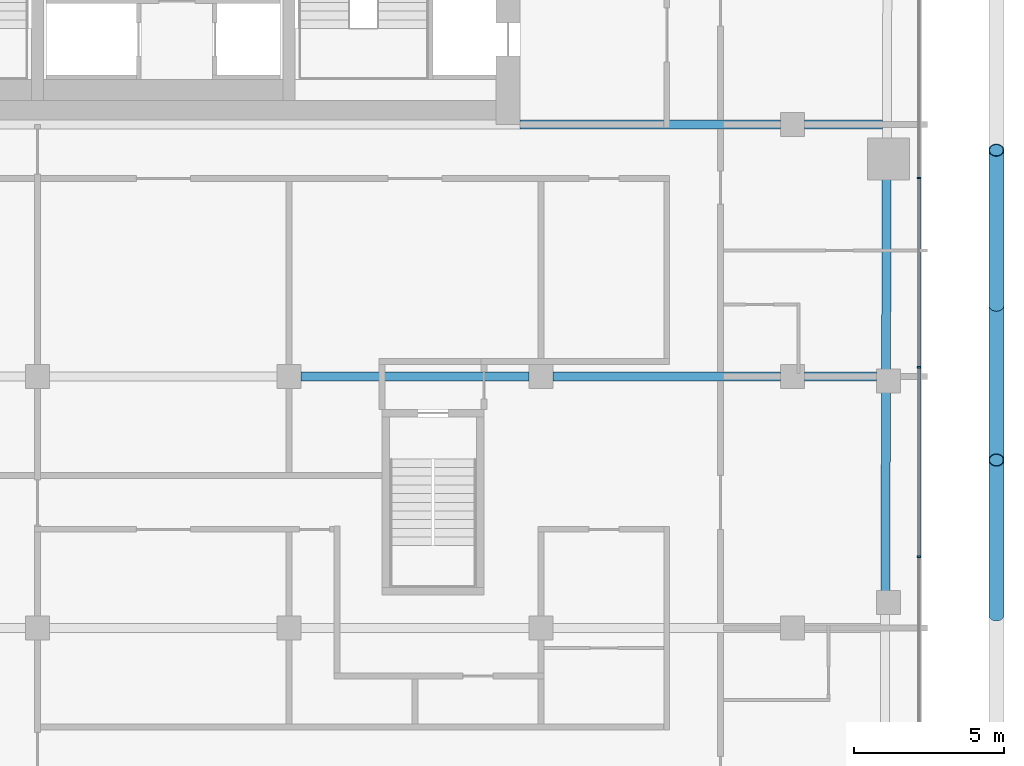
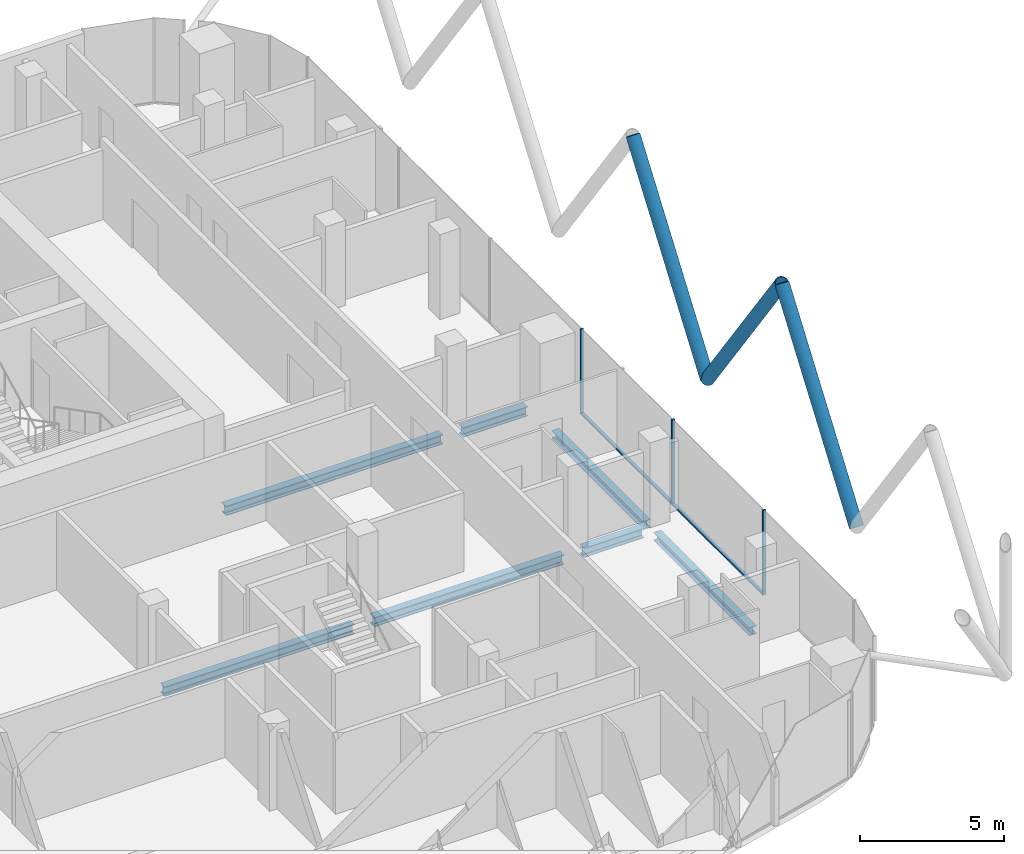
# One storey, part 7 of 28: 8 members, 7 beams, 1 element without a shape of its own.
"""IFC4 building model written with IfcOpenShell, lengths in metres."""

from ifc_helpers import new_model, si_unit, direction, frame, origin, origin_2d, place, context, subcontext, project, spatial, rectangle, hollow_circle, i_section, extrude, material, layer, layer_set, material_profile, profile_set, type_object, element, aggregate, save


model = new_model("IFC4")

# Units and contexts
model_context = context("Model", 3, precision=1e-05, world=origin(), true_north=direction((0.0, 1.0)))
body_context = subcontext(model_context, "Body", "Model", "MODEL_VIEW")
ifc_project = project(units=[si_unit("LENGTHUNIT", "METRE"), si_unit("AREAUNIT", "SQUARE_METRE"), si_unit("VOLUMEUNIT", "CUBIC_METRE"), si_unit("PLANEANGLEUNIT", "RADIAN"), si_unit("MASSUNIT", "GRAM", prefix="KILO")], contexts=[model_context])

# Site, building, storey
site_placement = place(None, origin())
site = spatial("IfcSite", under=ifc_project, at=site_placement, CompositionType="ELEMENT")
building_placement = place(site_placement, origin())
building = spatial("IfcBuilding", under=site, at=building_placement, Name="Marenta Gate Hotel Tower", CompositionType="ELEMENT")
storey_placement = place(building_placement, frame((0.0, 0.0, 198.5)))
storey = spatial("IfcBuildingStorey", under=building, at=storey_placement, Name="L45", CompositionType="ELEMENT", Elevation=198.5)

# Members
ifc_material_1 = material(Name="Steel S355J2W", Category="steel")
ifc_material_profile_1 = material_profile(ifc_material_1, hollow_circle(Radius=0.25390625, WallThickness=0.02490234375, at=origin_2d()), Name="CHS 508x25")
ifc_profile_set_1 = profile_set([ifc_material_profile_1], Name="Steel S355J2W")
member_type_1 = type_object("IfcMemberType", Name="Diagrid diagonal Z3 CHS 508x25", PredefinedType="BRACE", material=ifc_profile_set_1)
member_1_placement = place(storey_placement, frame((27.800048828125, -6.02001953125, 3.139892578125), z_axis=(0.0, 0.583247791947, 0.812294289767), x_axis=(-1.0, 0.0, 0.0)))
element("IfcMember", 1, at=member_1_placement, inside=storey, type_object=member_type_1, Name="L45-DG-6", PredefinedType="BRACE", context=body_context, shape_type="SweptSolid", body=[
    extrude(hollow_circle(Radius=0.25390625, WallThickness=0.02490234375, at=origin_2d()), origin(), (0.0, 0.0, 1.0), 8.864013671875),
])
member_2_placement = place(storey_placement, frame((27.800048828125, -6.02001953125, 3.139892578125), z_axis=(0.0, -0.583265964901, 0.81228124082), x_axis=(1.0, 0.0, 0.0)))
element("IfcMember", 2, at=member_2_placement, inside=storey, type_object=member_type_1, Name="L45-DG-7", PredefinedType="BRACE", context=body_context, shape_type="SweptSolid", body=[
    extrude(hollow_circle(Radius=0.25390625, WallThickness=0.02490234375, at=origin_2d()), origin(), (0.0, 0.0, 1.0), 8.8642578125),
])
member_3_placement = place(storey_placement, frame((27.800048828125, -16.360107421875, 3.139892578125), z_axis=(0.0, 0.583247791947, 0.812294289767), x_axis=(-1.0, 0.0, 0.0)))
element("IfcMember", 3, at=member_3_placement, inside=storey, type_object=member_type_1, Name="L45-DG-8", PredefinedType="BRACE", context=body_context, shape_type="SweptSolid", body=[
    extrude(hollow_circle(Radius=0.25390625, WallThickness=0.02490234375, at=origin_2d()), origin(), (0.0, 0.0, 1.0), 8.864013671875),
])

# Beams
ifc_material_2 = material(Name="Steel S355", Category="steel")
ifc_material_profile_2 = material_profile(ifc_material_2, i_section(OverallWidth=0.300048828125, OverallDepth=0.340087890625, WebThickness=0.011962890625, FlangeThickness=0.021484375, FilletRadius=0.027099609375, at=origin_2d()), Name="HEB 340")
ifc_profile_set_2 = profile_set([ifc_material_profile_2], Name="Steel S355")
beam_type_1 = type_object("IfcBeamType", Name="Edge beam HEB 340", PredefinedType="SPANDREL", material=ifc_profile_set_2)
beam_1_placement = place(storey_placement, frame((24.1396484375, -1.81005859375, -0.429931640625), z_axis=(-0.003328723523, -0.999994459785, 0.0), x_axis=(0.999994459785, -0.003328723523, 0.0)))
element("IfcBeam", 4, at=beam_1_placement, inside=storey, type_object=beam_type_1, Name="L45-EB-25", PredefinedType="SPANDREL", context=body_context, shape_type="SweptSolid", body=[
    extrude(i_section(OverallWidth=0.300048828125, OverallDepth=0.340087890625, WebThickness=0.011962890625, FlangeThickness=0.021484375, FilletRadius=0.027099609375, at=origin_2d()), origin(), (0.0, 0.0, 1.0), 6.380859375),
])
beam_2_placement = place(storey_placement, frame((24.115966796875, -8.910888671875, -0.429931640625), z_axis=(-0.00332539729, -0.999994470851, 0.0), x_axis=(0.999994470851, -0.00332539729, 0.0)))
element("IfcBeam", 5, at=beam_2_placement, inside=storey, type_object=beam_type_1, Name="L45-EB-26", PredefinedType="SPANDREL", context=body_context, shape_type="SweptSolid", body=[
    extrude(i_section(OverallWidth=0.300048828125, OverallDepth=0.340087890625, WebThickness=0.011962890625, FlangeThickness=0.021484375, FilletRadius=0.027099609375, at=origin_2d()), origin(), (0.0, 0.0, 1.0), 6.680908203125),
])
ifc_material_3 = material(Name="Steel S355", Category="steel")
ifc_material_profile_3 = material_profile(ifc_material_3, i_section(OverallWidth=0.300048828125, OverallDepth=0.39990234375, WebThickness=0.013427734375, FlangeThickness=0.02392578125, FilletRadius=0.027099609375, at=origin_2d()), Name="HEB 400")
ifc_profile_set_3 = profile_set([ifc_material_profile_3], Name="Steel S355")
beam_type_2 = type_object("IfcBeamType", Name="Girder HEB 400", PredefinedType="BEAM", material=ifc_profile_set_3)
beam_3_placement = place(storey_placement, frame((4.60009765625, -8.39990234375, -0.4599609375), z_axis=(1.0, 0.0, 0.0), x_axis=(0.0, 1.0, 0.0)))
element("IfcBeam", 6, at=beam_3_placement, inside=storey, type_object=beam_type_2, Name="L45-GD-17", PredefinedType="BEAM", context=body_context, shape_type="SweptSolid", body=[
    extrude(i_section(OverallWidth=0.300048828125, OverallDepth=0.39990234375, WebThickness=0.013427734375, FlangeThickness=0.02392578125, FilletRadius=0.027099609375, at=origin_2d()), origin(), (0.0, 0.0, 1.0), 7.599853515625),
])
beam_4_placement = place(storey_placement, frame((13.0, -8.39990234375, -0.4599609375), z_axis=(1.0, 0.0, 0.0), x_axis=(0.0, 1.0, 0.0)))
element("IfcBeam", 7, at=beam_4_placement, inside=storey, type_object=beam_type_2, Name="L45-GD-18", PredefinedType="BEAM", context=body_context, shape_type="SweptSolid", body=[
    extrude(i_section(OverallWidth=0.300048828125, OverallDepth=0.39990234375, WebThickness=0.013427734375, FlangeThickness=0.02392578125, FilletRadius=0.027099609375, at=origin_2d()), origin(), (0.0, 0.0, 1.0), 7.60009765625),
])
beam_5_placement = place(storey_placement, frame((21.39990234375, -8.39990234375, -0.4599609375), z_axis=(1.0, 0.0, 0.0), x_axis=(0.0, 1.0, 0.0)))
element("IfcBeam", 8, at=beam_5_placement, inside=storey, type_object=beam_type_2, Name="L45-GD-19", PredefinedType="BEAM", context=body_context, shape_type="SweptSolid", body=[
    extrude(i_section(OverallWidth=0.300048828125, OverallDepth=0.39990234375, WebThickness=0.013427734375, FlangeThickness=0.02392578125, FilletRadius=0.027099609375, at=origin_2d()), origin(), (0.0, 0.0, 1.0), 2.400146484375),
])
beam_6_placement = place(storey_placement, frame((11.89990234375, 0.0, -0.4599609375), z_axis=(1.0, 0.0, 0.0), x_axis=(0.0, 1.0, 0.0)))
element("IfcBeam", 9, at=beam_6_placement, inside=storey, type_object=beam_type_2, Name="L45-GD-23", PredefinedType="BEAM", context=body_context, shape_type="SweptSolid", body=[
    extrude(i_section(OverallWidth=0.300048828125, OverallDepth=0.39990234375, WebThickness=0.013427734375, FlangeThickness=0.02392578125, FilletRadius=0.027099609375, at=origin_2d()), origin(), (0.0, 0.0, 1.0), 8.7001953125),
])
beam_7_placement = place(storey_placement, frame((21.39990234375, 0.0, -0.4599609375), z_axis=(1.0, 0.0, 0.0), x_axis=(0.0, 1.0, 0.0)))
element("IfcBeam", 10, at=beam_7_placement, inside=storey, type_object=beam_type_2, Name="L45-GD-24", PredefinedType="BEAM", context=body_context, shape_type="SweptSolid", body=[
    extrude(i_section(OverallWidth=0.300048828125, OverallDepth=0.39990234375, WebThickness=0.013427734375, FlangeThickness=0.02392578125, FilletRadius=0.027099609375, at=origin_2d()), origin(), (0.0, 0.0, 1.0), 2.595703125),
])

# Curtain wall, members
ifc_material_4 = material(Name="Tinted insulated glass in bronze anodised frame", Category="glass")
ifc_layer = layer(ifc_material_4, 0.1201171875)
ifc_layer_set = layer_set([ifc_layer], Name="Tinted insulated glass in bronze anodised frame")
curtain_wall_type = type_object("IfcCurtainWallType", Name="Tower unitised curtain wall CW1", PredefinedType="NOTDEFINED", material=ifc_layer_set)
curtain_wall_placement = place(storey_placement, origin())
curtain_wall = element("IfcCurtainWall", 11, at=curtain_wall_placement, inside=storey, type_object=curtain_wall_type, Name="CW1 run G19", PredefinedType="NOTDEFINED")
ifc_material_5 = material(Name="Bronze anodised aluminium", Category="aluminium")
ifc_material_profile_4 = material_profile(ifc_material_5, rectangle(XDim=0.1201171875, YDim=0.06005859375, at=origin_2d()), Name="Mullion CW1 60x120 bronze anodised aluminium")
ifc_profile_set_4 = profile_set([ifc_material_profile_4], Name="Bronze anodised aluminium")
member_type_2 = type_object("IfcMemberType", Name="Mullion CW1 60x120 bronze anodised aluminium", PredefinedType="MULLION", material=ifc_profile_set_4)
member_4_placement = place(storey_placement, frame((25.214111328125, -14.42138671875, 0.0), z_axis=(0.0, 0.0, 1.0), x_axis=(-1.0, 0.0, 0.0)))
member_4 = element("IfcMember", 12, at=member_4_placement, type_object=member_type_2, Name="CW1 mullion 2", PredefinedType="MULLION", context=body_context, shape_type="SweptSolid", body=[
    extrude(rectangle(XDim=0.1201171875, YDim=0.06005859375, at=origin_2d()), origin(), (0.0, 0.0, 1.0), 3.60009765625),
])
member_5_placement = place(storey_placement, frame((25.214111328125, -8.0986328125, 0.0), z_axis=(0.0, 0.0, 1.0), x_axis=(-1.0, 0.0, 0.0)))
member_5 = element("IfcMember", 13, at=member_5_placement, type_object=member_type_2, Name="CW1 mullion 3", PredefinedType="MULLION", context=body_context, shape_type="SweptSolid", body=[
    extrude(rectangle(XDim=0.1201171875, YDim=0.06005859375, at=origin_2d()), origin(), (0.0, 0.0, 1.0), 3.60009765625),
])
member_6_placement = place(storey_placement, frame((25.214111328125, -1.77587890625, 0.0), z_axis=(0.0, 0.0, 1.0), x_axis=(-1.0, 0.0, 0.0)))
member_6 = element("IfcMember", 14, at=member_6_placement, type_object=member_type_2, Name="CW1 mullion 4", PredefinedType="MULLION", context=body_context, shape_type="SweptSolid", body=[
    extrude(rectangle(XDim=0.1201171875, YDim=0.06005859375, at=origin_2d()), origin(), (0.0, 0.0, 1.0), 3.60009765625),
])
ifc_material_6 = material(Name="Bronze anodised aluminium", Category="aluminium")
ifc_material_profile_5 = material_profile(ifc_material_6, rectangle(XDim=0.1201171875, YDim=0.06005859375, at=origin_2d()), Name="Transom CW1 60x120 bronze anodised aluminium")
ifc_profile_set_5 = profile_set([ifc_material_profile_5], Name="Bronze anodised aluminium")
member_type_3 = type_object("IfcMemberType", Name="Transom CW1 60x120 bronze anodised aluminium", PredefinedType="USERDEFINED", material=ifc_profile_set_5)
member_7_placement = place(storey_placement, frame((25.214111328125, -14.391357421875, 0.030029296875), z_axis=(0.0, 1.0, 0.0), x_axis=(-1.0, 0.0, 0.0)))
member_7 = element("IfcMember", 15, at=member_7_placement, type_object=member_type_3, Name="CW1 transom 2.1", ObjectType="TRANSOM", PredefinedType="USERDEFINED", context=body_context, shape_type="SweptSolid", body=[
    extrude(rectangle(XDim=0.1201171875, YDim=0.06005859375, at=origin_2d()), origin(), (0.0, 0.0, 1.0), 6.2626953125),
])
member_8_placement = place(storey_placement, frame((25.214111328125, -8.068603515625, 0.030029296875), z_axis=(0.0, 1.0, 0.0), x_axis=(-1.0, 0.0, 0.0)))
member_8 = element("IfcMember", 16, at=member_8_placement, type_object=member_type_3, Name="CW1 transom 3.1", ObjectType="TRANSOM", PredefinedType="USERDEFINED", context=body_context, shape_type="SweptSolid", body=[
    extrude(rectangle(XDim=0.1201171875, YDim=0.06005859375, at=origin_2d()), origin(), (0.0, 0.0, 1.0), 6.2626953125),
])
aggregate(curtain_wall, [member_4, member_5, member_6, member_7, member_8])

save(model, "model.ifc")
